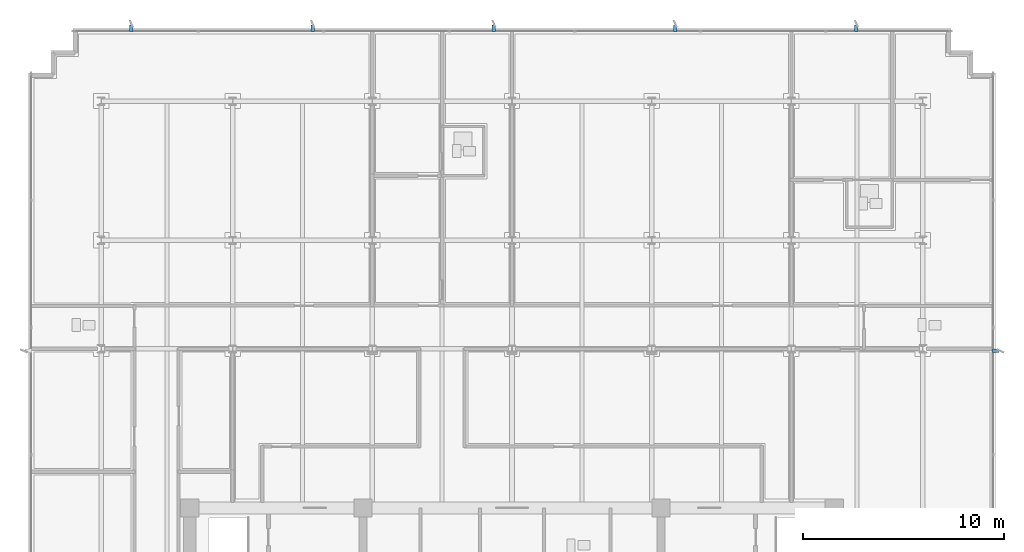
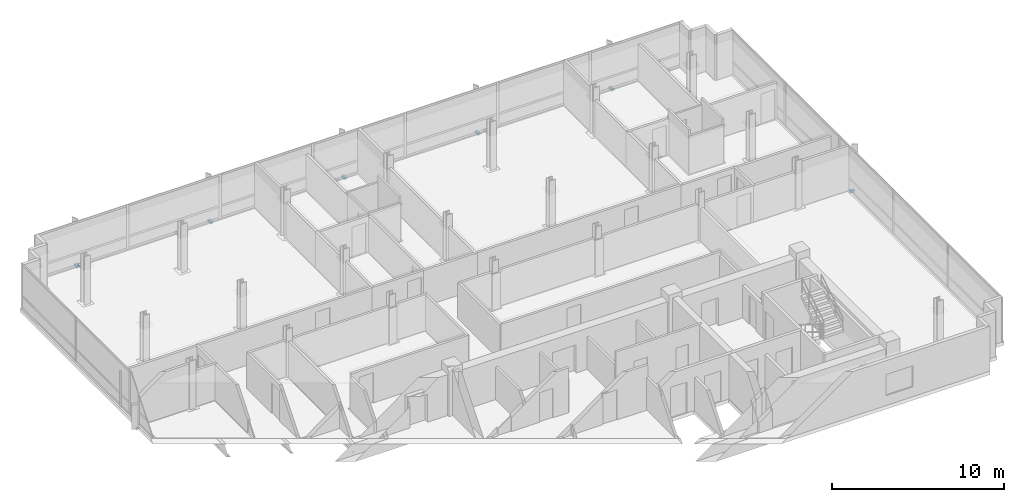
# One storey, part 13 of 18: 6 discrete accessories.
"""IFC4 building model written with IfcOpenShell, lengths in metres."""

from ifc_helpers import new_model, si_unit, direction, frame, origin, origin_2d, place, context, subcontext, project, spatial, rectangle, extrude, material, type_object, element, save


model = new_model("IFC4")

# Units and contexts
model_context = context("Model", 3, precision=1e-05, world=origin(), true_north=direction((0.0, 1.0)))
body_context = subcontext(model_context, "Body", "Model", "MODEL_VIEW")
ifc_project = project(units=[si_unit("LENGTHUNIT", "METRE"), si_unit("AREAUNIT", "SQUARE_METRE"), si_unit("VOLUMEUNIT", "CUBIC_METRE"), si_unit("PLANEANGLEUNIT", "RADIAN"), si_unit("MASSUNIT", "GRAM", prefix="KILO")], contexts=[model_context])

# Site, building, storey
site_placement = place(None, origin())
site = spatial("IfcSite", under=ifc_project, at=site_placement, CompositionType="ELEMENT")
building_placement = place(site_placement, origin())
building = spatial("IfcBuilding", under=site, at=building_placement, Name="Solmavex Isthmus Hotel", CompositionType="ELEMENT")
storey_placement = place(building_placement, frame((0.0, 0.0, 283.35009765625)))
storey = spatial("IfcBuildingStorey", under=building, at=storey_placement, Name="L77", CompositionType="ELEMENT", Elevation=283.35009765625)

# Discrete accessories
ifc_material = material(Name="Steel ASTM A572 Grade 50", Category="steel")
discrete_accessory_type = type_object("IfcDiscreteAccessoryType", Name="ACC-BRK-FIN", PredefinedType="BRACKET", material=ifc_material)
for number, where, z_axis, x_axis, name in (
    (1, (-18.89990234375, 21.320068359375, -0.169921875), (0.0, 0.0, 1.0), (0.0, 1.0, 0.0), "Facade Fin Support Bracket L77-N1"),
    (2, (-9.89990234375, 21.320068359375, -0.169921875), (0.0, 0.0, 1.0), (0.0, 1.0, 0.0), "Facade Fin Support Bracket L77-N2"),
    (3, (-0.89990234375, 21.320068359375, -0.169921875), (0.0, 0.0, 1.0), (0.0, 1.0, 0.0), "Facade Fin Support Bracket L77-N3"),
    (4, (8.10009765625, 21.320068359375, -0.169921875), (0.0, 0.0, 1.0), (0.0, 1.0, 0.0), "Facade Fin Support Bracket L77-N4"),
    (5, (17.10009765625, 21.320068359375, -0.169921875), (0.0, 0.0, 1.0), (0.0, 1.0, 0.0), "Facade Fin Support Bracket L77-N5"),
    (6, (24.02001953125, 5.300048828125, -0.169921875), (0.0, 0.0, 1.0), (1.0, 0.0, 0.0), "Facade Fin Support Bracket L77-E1"),
):
    element("IfcDiscreteAccessory", number, at=place(storey_placement, frame(where, z_axis=z_axis, x_axis=x_axis)), inside=storey, type_object=discrete_accessory_type, Name=name, PredefinedType="BRACKET", context=body_context, shape_type="SweptSolid", body=[
        extrude(rectangle(XDim=0.340087890625, YDim=0.179931640625, at=origin_2d()), origin(), (0.0, 0.0, 1.0), 0.159912109375),
    ])

save(model, "model.ifc")
